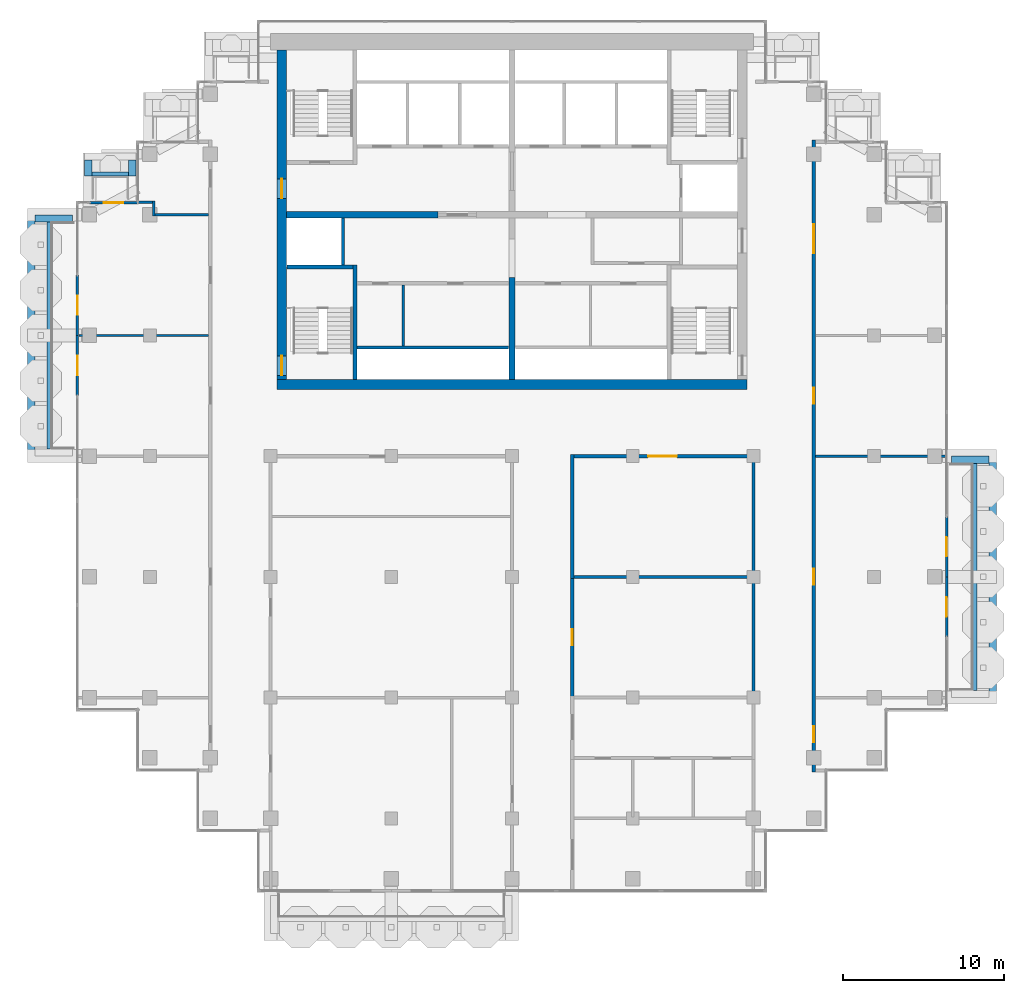
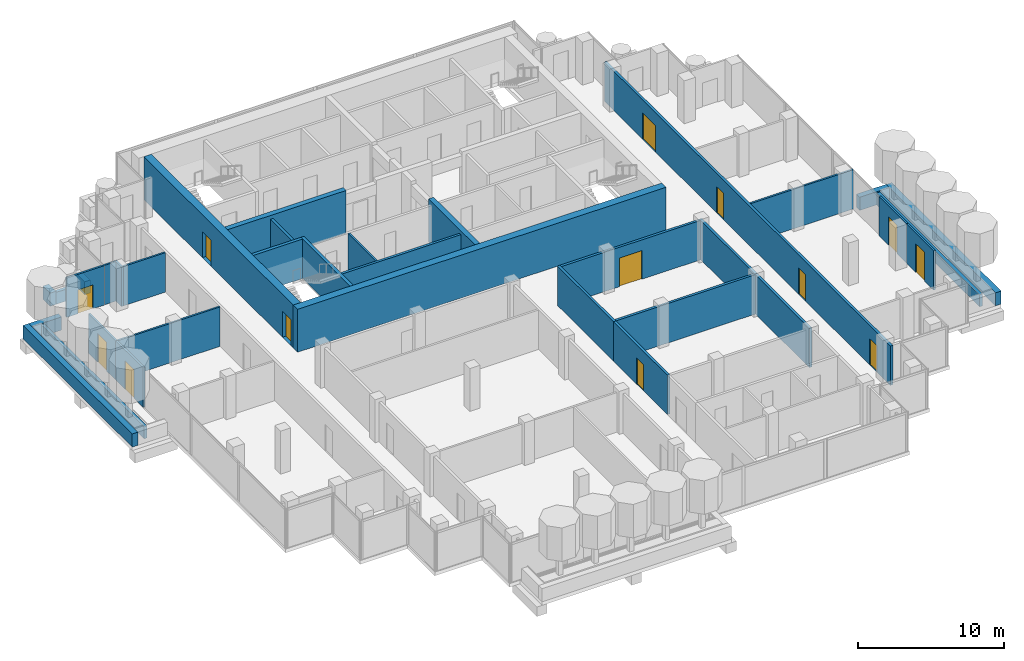
# One storey, part 12 of 18: 35 walls, 13 doors, 13 openings.
"""IFC4 building model written with IfcOpenShell, lengths in metres."""

from ifc_helpers import new_model, si_unit, direction, frame, frame_2d, origin, place, context, subcontext, project, spatial, rectangle, extrude, material, layer, layer_set, type_object, element, fill, save


model = new_model("IFC4")

# Units and contexts
model_context = context("Model", 3, precision=1e-05, world=origin(), true_north=direction((0.0, 1.0)))
body_context = subcontext(model_context, "Body", "Model", "MODEL_VIEW")
ifc_project = project(units=[si_unit("LENGTHUNIT", "METRE"), si_unit("AREAUNIT", "SQUARE_METRE"), si_unit("VOLUMEUNIT", "CUBIC_METRE"), si_unit("PLANEANGLEUNIT", "RADIAN"), si_unit("MASSUNIT", "GRAM", prefix="KILO")], contexts=[model_context])

# Site, building, storey
site_placement = place(None, origin())
site = spatial("IfcSite", under=ifc_project, at=site_placement, CompositionType="ELEMENT")
building_placement = place(site_placement, origin())
building = spatial("IfcBuilding", under=site, at=building_placement, Name="Pilkhan Gate Tower", CompositionType="ELEMENT")
storey_placement = place(building_placement, frame((0.0, 0.0, 228.300048828125)))
storey = spatial("IfcBuildingStorey", under=building, at=storey_placement, Name="L59", CompositionType="ELEMENT", Elevation=228.300048828125)

# Walls
ifc_material_1 = material(Name="Concrete C40/50", Category="concrete")
ifc_layer_1 = layer(ifc_material_1, 0.25)
ifc_layer_set_1 = layer_set([ifc_layer_1], Name="Balcony planter BP250")
wall_type_1 = type_object("IfcWallType", Name="Balcony planter BP250", PredefinedType="USERDEFINED", material=ifc_layer_set_1)
wall_1_placement = place(storey_placement, frame((103.77490234375, 52.949951171875, 0.0), z_axis=(0.0, 0.0, 1.0), x_axis=(0.0, 1.0, 0.0)))
element("IfcWall", 1, at=wall_1_placement, inside=storey, type_object=wall_type_1, Name="Balcony planter L59 E", ObjectType="BALCONY PLANTER", PredefinedType="USERDEFINED", context=body_context, shape_type="SweptSolid", body=[
    extrude(rectangle(XDim=14.10009765625, YDim=0.25, at=frame_2d((7.050048828125, 0.0))), origin(), (0.0, 0.0, 1.0), 1.0),
])
wall_2_placement = place(storey_placement, frame((48.89990234375, 85.02490234375, 0.0), z_axis=(0.0, 0.0, 1.0), x_axis=(1.0, 0.0, 0.0)))
element("IfcWall", 2, at=wall_2_placement, inside=storey, type_object=wall_type_1, Name="Balcony planter L59 N", ObjectType="BALCONY PLANTER", PredefinedType="USERDEFINED", context=body_context, shape_type="SweptSolid", body=[
    extrude(rectangle(XDim=2.280029296875, YDim=0.25, at=frame_2d((1.14013671875, 0.0))), origin(), (0.0, 0.0, 1.0), 1.0),
])
wall_3_placement = place(storey_placement, frame((46.22509765625, 67.949951171875, 0.0), z_axis=(0.0, 0.0, 1.0), x_axis=(0.0, 1.0, 0.0)))
element("IfcWall", 3, at=wall_3_placement, inside=storey, type_object=wall_type_1, Name="Balcony planter L59 W", ObjectType="BALCONY PLANTER", PredefinedType="USERDEFINED", context=body_context, shape_type="SweptSolid", body=[
    extrude(rectangle(XDim=14.10009765625, YDim=0.25, at=frame_2d((7.050048828125, 0.0))), origin(), (0.0, 0.0, 1.0), 1.0),
])
ifc_material_2 = material(Name="Board-marked Concrete C40/50", Category="concrete")
ifc_layer_2 = layer(ifc_material_2, 0.449951171875)
ifc_layer_set_2 = layer_set([ifc_layer_2], Name="Balcony planter lip BL450")
wall_type_2 = type_object("IfcWallType", Name="Balcony planter lip BL450", PredefinedType="USERDEFINED", material=ifc_layer_set_2)
wall_4_placement = place(storey_placement, frame((104.875, 52.5, 0.0), z_axis=(0.0, 0.0, 1.0), x_axis=(0.0, 1.0, 0.0)))
element("IfcWall", 4, at=wall_4_placement, inside=storey, type_object=wall_type_2, Name="Balcony planter L59 E", ObjectType="BALCONY PLANTER", PredefinedType="USERDEFINED", context=body_context, shape_type="SweptSolid", body=[
    extrude(rectangle(XDim=15.0, YDim=0.449951171875, at=frame_2d((7.5, 0.0))), origin(), (0.0, 0.0, 1.0), 1.099853515625),
])
wall_5_placement = place(storey_placement, frame((102.300048828125, 67.27490234375, 0.0), z_axis=(0.0, 0.0, 1.0), x_axis=(1.0, 0.0, 0.0)))
element("IfcWall", 5, at=wall_5_placement, inside=storey, type_object=wall_type_2, Name="Balcony planter L59 E", ObjectType="BALCONY PLANTER", PredefinedType="USERDEFINED", context=body_context, shape_type="SweptSolid", body=[
    extrude(rectangle(XDim=2.349853515625, YDim=0.449951171875, at=frame_2d((1.1748046875, 0.0))), origin(), (0.0, 0.0, 1.0), 1.099853515625),
])
for number, where, z_axis, x_axis, name in (
    (6, (48.675048828125, 84.89990234375, 0.0), (0.0, 0.0, 1.0), (0.0, 1.0, 0.0), "Balcony planter L59 N"),
    (7, (51.405029296875, 84.89990234375, 0.0), (0.0, 0.0, 1.0), (0.0, 1.0, 0.0), "Balcony planter L59 N"),
):
    element("IfcWall", number, at=place(storey_placement, frame(where, z_axis=z_axis, x_axis=x_axis)), inside=storey, type_object=wall_type_2, Name=name, ObjectType="BALCONY PLANTER", PredefinedType="USERDEFINED", context=body_context, shape_type="SweptSolid", body=[
        extrude(rectangle(XDim=1.0, YDim=0.449951171875, at=frame_2d((0.5, 0.0))), origin(), (0.0, 0.0, 1.0), 1.099853515625),
    ])
wall_6_placement = place(storey_placement, frame((45.125, 67.5, 0.0), z_axis=(0.0, 0.0, 1.0), x_axis=(0.0, 1.0, 0.0)))
element("IfcWall", 8, at=wall_6_placement, inside=storey, type_object=wall_type_2, Name="Balcony planter L59 W", ObjectType="BALCONY PLANTER", PredefinedType="USERDEFINED", context=body_context, shape_type="SweptSolid", body=[
    extrude(rectangle(XDim=15.0, YDim=0.449951171875, at=frame_2d((7.5, 0.0))), origin(), (0.0, 0.0, 1.0), 1.099853515625),
])
wall_7_placement = place(storey_placement, frame((47.699951171875, 82.27490234375, 0.0), z_axis=(0.0, 0.0, 1.0), x_axis=(-1.0, 0.0, 0.0)))
element("IfcWall", 9, at=wall_7_placement, inside=storey, type_object=wall_type_2, Name="Balcony planter L59 W", ObjectType="BALCONY PLANTER", PredefinedType="USERDEFINED", context=body_context, shape_type="SweptSolid", body=[
    extrude(rectangle(XDim=2.349853515625, YDim=0.449951171875, at=frame_2d((1.1748046875, 0.0))), origin(), (0.0, 0.0, 1.0), 1.099853515625),
])
ifc_material_3 = material(Name="Concrete C50/60", Category="concrete")
ifc_layer_3 = layer(ifc_material_3, 0.60009765625)
ifc_layer_set_3 = layer_set([ifc_layer_3], Name="Core wall CW600 C50/60")
wall_type_3 = type_object("IfcWallType", Name="Core wall CW600 C50/60", PredefinedType="SHEAR", material=ifc_layer_set_3)
wall_8_placement = place(storey_placement, frame((60.39990234375, 71.949951171875, 0.0), z_axis=(0.0, 0.0, 1.0), x_axis=(1.0, 0.0, 0.0)))
element("IfcWall", 10, at=wall_8_placement, inside=storey, type_object=wall_type_3, Name="Core wall S L59", PredefinedType="SHEAR", context=body_context, shape_type="SweptSolid", body=[
    extrude(rectangle(XDim=29.2001953125, YDim=0.60009765625, at=frame_2d((14.60009765625, 0.0))), origin(), (0.0, 0.0, 1.0), 3.599853515625),
])

# Wall, openings, doors
wall_9_placement = place(storey_placement, frame((60.699951171875, 92.75, 0.0), z_axis=(0.0, 0.0, 1.0), x_axis=(0.0, -1.0, 0.0)))
wall_9 = element("IfcWall", 11, at=wall_9_placement, inside=storey, type_object=wall_type_3, Name="Core wall W L59", PredefinedType="SHEAR", context=body_context, shape_type="SweptSolid", body=[
    extrude(rectangle(XDim=20.5, YDim=0.60009765625, at=frame_2d((10.25, 0.0))), origin(), (0.0, 0.0, 1.0), 3.599853515625),
])
opening_1_placement = place(wall_9_placement, frame((19.02490234375, 0.0, 0.0)))
opening_1 = element("IfcOpeningElement", 12, at=opening_1_placement, cuts=wall_9, Name="Opening L59-04", PredefinedType="OPENING", context=body_context, shape_type="SweptSolid", body=[
    extrude(rectangle(XDim=1.199951171875, YDim=2.199951171875, at=frame_2d((0.60009765625, 1.10009765625))), frame((0.0, 0.31005859375, 0.0), z_axis=(0.0, -1.0, 0.0), x_axis=(1.0, 0.0, 0.0)), (0.0, 0.0, 1.0), 0.6201171875),
])
opening_2_placement = place(wall_9_placement, frame((8.02490234375, 0.0, 0.0)))
opening_2 = element("IfcOpeningElement", 13, at=opening_2_placement, cuts=wall_9, Name="Opening L59-08", PredefinedType="OPENING", context=body_context, shape_type="SweptSolid", body=[
    extrude(rectangle(XDim=1.199951171875, YDim=2.199951171875, at=frame_2d((0.60009765625, 1.10009765625))), frame((0.0, 0.31005859375, 0.0), z_axis=(0.0, -1.0, 0.0), x_axis=(1.0, 0.0, 0.0)), (0.0, 0.0, 1.0), 0.6201171875),
])
ifc_material_4 = material(Name="Steel door, 120 minute fire resisting, self-closing", Category="steel")
door_type_1 = type_object("IfcDoorType", Name="Firefighting lobby door D10 1200x2200", OperationType="SINGLE_SWING_LEFT", PredefinedType="DOOR", material=ifc_material_4)
door_1_placement = place(opening_2_placement, origin())
door_1 = element("IfcDoor", 14, at=door_1_placement, inside=storey, type_object=door_type_1, Name="Core door", OperationType="SINGLE_SWING_LEFT", OverallHeight=2.199951171875, OverallWidth=1.199951171875, PredefinedType="DOOR", context=body_context, shape_type="SweptSolid", body=[
    extrude(rectangle(XDim=1.199951171875, YDim=2.199951171875, at=frame_2d((0.60009765625, 1.10009765625))), frame((0.0, 0.02490234375, 0.0), z_axis=(0.0, -1.0, 0.0), x_axis=(1.0, 0.0, 0.0)), (0.0, 0.0, 1.0), 0.050048828125),
])
fill(opening_2, door_1)
ifc_material_5 = material(Name="Steel door, 120 minute fire resisting, panic bar", Category="steel")
door_type_2 = type_object("IfcDoorType", Name="Stair door D11 1200x2200", OperationType="SINGLE_SWING_LEFT", PredefinedType="DOOR", material=ifc_material_5)
door_2_placement = place(opening_1_placement, origin())
door_2 = element("IfcDoor", 15, at=door_2_placement, inside=storey, type_object=door_type_2, Name="Stair ST2 door", OperationType="SINGLE_SWING_LEFT", OverallHeight=2.199951171875, OverallWidth=1.199951171875, PredefinedType="DOOR", context=body_context, shape_type="SweptSolid", body=[
    extrude(rectangle(XDim=1.199951171875, YDim=2.199951171875, at=frame_2d((0.60009765625, 1.10009765625))), frame((0.0, 0.02490234375, 0.0), z_axis=(0.0, -1.0, 0.0), x_axis=(1.0, 0.0, 0.0)), (0.0, 0.0, 1.0), 0.050048828125),
])
fill(opening_1, door_2)

# Wall, opening, door
ifc_material_6 = material(Name="Dense blockwork", Category="masonry")
ifc_layer_4 = layer(ifc_material_6, 0.199951171875)
ifc_layer_set_4 = layer_set([ifc_layer_4], Name="Corridor wall FW200")
wall_type_4 = type_object("IfcWallType", Name="Corridor wall FW200", PredefinedType="PARTITIONING", material=ifc_layer_set_4)
wall_10_placement = place(storey_placement, frame((78.75, 52.5, 0.0), z_axis=(0.0, 0.0, 1.0), x_axis=(0.0, 1.0, 0.0)))
wall_10 = element("IfcWall", 16, at=wall_10_placement, inside=storey, type_object=wall_type_4, Name="Partition L59", PredefinedType="PARTITIONING", context=body_context, shape_type="SweptSolid", body=[
    extrude(rectangle(XDim=7.5, YDim=0.199951171875, at=frame_2d((3.75, 0.0))), origin(), (0.0, 0.0, 1.0), 3.300048828125),
])
opening_3_placement = place(wall_10_placement, frame((3.25, 0.0, 0.0)))
opening_3 = element("IfcOpeningElement", 17, at=opening_3_placement, cuts=wall_10, Name="Opening L59-22", PredefinedType="OPENING", context=body_context, shape_type="SweptSolid", body=[
    extrude(rectangle(XDim=1.0, YDim=2.199951171875, at=frame_2d((0.5, 1.10009765625))), frame((0.0, 0.10986328125, 0.0), z_axis=(0.0, -1.0, 0.0), x_axis=(1.0, 0.0, 0.0)), (0.0, 0.0, 1.0), 0.219970703125),
])
ifc_material_7 = material(Name="Timber flush door, 30 minute fire resisting", Category="wood")
door_type_3 = type_object("IfcDoorType", Name="Room door D03 1000x2200", OperationType="SINGLE_SWING_LEFT", PredefinedType="DOOR", material=ifc_material_7)
door_3_placement = place(opening_3_placement, origin())
door_3 = element("IfcDoor", 18, at=door_3_placement, inside=storey, type_object=door_type_3, Name="Room door", OperationType="SINGLE_SWING_LEFT", OverallHeight=2.199951171875, OverallWidth=1.0, PredefinedType="DOOR", context=body_context, shape_type="SweptSolid", body=[
    extrude(rectangle(XDim=1.0, YDim=2.199951171875, at=frame_2d((0.5, 1.10009765625))), frame((0.0, 0.02490234375, 0.0), z_axis=(0.0, -1.0, 0.0), x_axis=(1.0, 0.0, 0.0)), (0.0, 0.0, 1.0), 0.050048828125),
])
fill(opening_3, door_3)

# Wall
wall_11_placement = place(storey_placement, frame((90.0, 52.5, 0.0), z_axis=(0.0, 0.0, 1.0), x_axis=(0.0, 1.0, 0.0)))
element("IfcWall", 19, at=wall_11_placement, inside=storey, type_object=wall_type_4, Name="Partition L59", PredefinedType="PARTITIONING", context=body_context, shape_type="SweptSolid", body=[
    extrude(rectangle(XDim=7.5, YDim=0.199951171875, at=frame_2d((3.75, 0.0))), origin(), (0.0, 0.0, 1.0), 3.300048828125),
])

# Wall, openings, doors
wall_12_placement = place(storey_placement, frame((93.75, 47.8701171875, 0.0), z_axis=(0.0, 0.0, 1.0), x_axis=(0.0, 1.0, 0.0)))
wall_12 = element("IfcWall", 20, at=wall_12_placement, inside=storey, type_object=wall_type_4, Name="Partition L59", PredefinedType="PARTITIONING", context=body_context, shape_type="SweptSolid", body=[
    extrude(rectangle(XDim=39.259765625, YDim=0.199951171875, at=frame_2d((19.6298828125, 0.0))), origin(), (0.0, 0.0, 1.0), 3.300048828125),
])
opening_4_placement = place(wall_12_placement, frame((1.85009765625, 0.0, 0.0)))
opening_4 = element("IfcOpeningElement", 21, at=opening_4_placement, cuts=wall_12, Name="Opening L59-27", PredefinedType="OPENING", context=body_context, shape_type="SweptSolid", body=[
    extrude(rectangle(XDim=1.0, YDim=2.199951171875, at=frame_2d((0.5, 1.10009765625))), frame((0.0, 0.10986328125, 0.0), z_axis=(0.0, -1.0, 0.0), x_axis=(1.0, 0.0, 0.0)), (0.0, 0.0, 1.0), 0.219970703125),
])
opening_5_placement = place(wall_12_placement, frame((11.6298828125, 0.0, 0.0)))
opening_5 = element("IfcOpeningElement", 22, at=opening_5_placement, cuts=wall_12, Name="Opening L59-28", PredefinedType="OPENING", context=body_context, shape_type="SweptSolid", body=[
    extrude(rectangle(XDim=1.0, YDim=2.199951171875, at=frame_2d((0.5, 1.10009765625))), frame((0.0, 0.10986328125, 0.0), z_axis=(0.0, -1.0, 0.0), x_axis=(1.0, 0.0, 0.0)), (0.0, 0.0, 1.0), 0.219970703125),
])
opening_6_placement = place(wall_12_placement, frame((22.8798828125, 0.0, 0.0)))
opening_6 = element("IfcOpeningElement", 23, at=opening_6_placement, cuts=wall_12, Name="Opening L59-29", PredefinedType="OPENING", context=body_context, shape_type="SweptSolid", body=[
    extrude(rectangle(XDim=1.0, YDim=2.199951171875, at=frame_2d((0.5, 1.10009765625))), frame((0.0, 0.10986328125, 0.0), z_axis=(0.0, -1.0, 0.0), x_axis=(1.0, 0.0, 0.0)), (0.0, 0.0, 1.0), 0.219970703125),
])
opening_7_placement = place(wall_12_placement, frame((32.22998046875, 0.0, 0.0)))
opening_7 = element("IfcOpeningElement", 24, at=opening_7_placement, cuts=wall_12, Name="Opening L59-32", PredefinedType="OPENING", context=body_context, shape_type="SweptSolid", body=[
    extrude(rectangle(XDim=1.800048828125, YDim=2.199951171875, at=frame_2d((0.89990234375, 1.10009765625))), frame((0.0, 0.10986328125, 0.0), z_axis=(0.0, -1.0, 0.0), x_axis=(1.0, 0.0, 0.0)), (0.0, 0.0, 1.0), 0.219970703125),
])
ifc_material_8 = material(Name="Timber glazed double door, 30 minute fire resisting", Category="wood")
door_type_4 = type_object("IfcDoorType", Name="Double door D04 1800x2200", OperationType="DOUBLE_DOOR_SINGLE_SWING", PredefinedType="DOOR", material=ifc_material_8)
door_4_placement = place(opening_7_placement, origin())
door_4 = element("IfcDoor", 25, at=door_4_placement, inside=storey, type_object=door_type_4, Name="Double door", OperationType="DOUBLE_DOOR_SINGLE_SWING", OverallHeight=2.199951171875, OverallWidth=1.800048828125, PredefinedType="DOOR", context=body_context, shape_type="SweptSolid", body=[
    extrude(rectangle(XDim=1.800048828125, YDim=2.199951171875, at=frame_2d((0.89990234375, 1.10009765625))), frame((0.0, 0.02490234375, 0.0), z_axis=(0.0, -1.0, 0.0), x_axis=(1.0, 0.0, 0.0)), (0.0, 0.0, 1.0), 0.050048828125),
])
fill(opening_7, door_4)
door_5_placement = place(opening_4_placement, origin())
door_5 = element("IfcDoor", 26, at=door_5_placement, inside=storey, type_object=door_type_3, Name="Room door", OperationType="SINGLE_SWING_RIGHT", OverallHeight=2.199951171875, OverallWidth=1.0, PredefinedType="DOOR", context=body_context, shape_type="SweptSolid", body=[
    extrude(rectangle(XDim=1.0, YDim=2.199951171875, at=frame_2d((0.5, 1.10009765625))), frame((0.0, 0.02490234375, 0.0), z_axis=(0.0, -1.0, 0.0), x_axis=(1.0, 0.0, 0.0)), (0.0, 0.0, 1.0), 0.050048828125),
])
fill(opening_4, door_5)
door_6_placement = place(opening_5_placement, origin())
door_6 = element("IfcDoor", 27, at=door_6_placement, inside=storey, type_object=door_type_3, Name="Room door", OperationType="SINGLE_SWING_LEFT", OverallHeight=2.199951171875, OverallWidth=1.0, PredefinedType="DOOR", context=body_context, shape_type="SweptSolid", body=[
    extrude(rectangle(XDim=1.0, YDim=2.199951171875, at=frame_2d((0.5, 1.10009765625))), frame((0.0, 0.02490234375, 0.0), z_axis=(0.0, -1.0, 0.0), x_axis=(1.0, 0.0, 0.0)), (0.0, 0.0, 1.0), 0.050048828125),
])
fill(opening_5, door_6)
door_7_placement = place(opening_6_placement, origin())
door_7 = element("IfcDoor", 28, at=door_7_placement, inside=storey, type_object=door_type_3, Name="Room door", OperationType="SINGLE_SWING_LEFT", OverallHeight=2.199951171875, OverallWidth=1.0, PredefinedType="DOOR", context=body_context, shape_type="SweptSolid", body=[
    extrude(rectangle(XDim=1.0, YDim=2.199951171875, at=frame_2d((0.5, 1.10009765625))), frame((0.0, 0.02490234375, 0.0), z_axis=(0.0, -1.0, 0.0), x_axis=(1.0, 0.0, 0.0)), (0.0, 0.0, 1.0), 0.050048828125),
])
fill(opening_6, door_7)

# Wall, opening, door
ifc_material_9 = material(Name="Pale anodised aluminium, clear laminated glazing", Category="aluminium")
ifc_layer_5 = layer(ifc_material_9, 0.14990234375)
ifc_layer_set_5 = layer_set([ifc_layer_5], Name="Facade infill wall IW150")
wall_type_5 = type_object("IfcWallType", Name="Facade infill wall IW150", PredefinedType="SOLIDWALL", material=ifc_layer_set_5)
wall_13_placement = place(storey_placement, frame((102.0, 56.25, 0.0), z_axis=(0.0, 0.0, 1.0), x_axis=(0.0, 1.0, 0.0)))
wall_13 = element("IfcWall", 29, at=wall_13_placement, inside=storey, type_object=wall_type_5, Name="Infill wall L59 E", PredefinedType="SOLIDWALL", context=body_context, shape_type="SweptSolid", body=[
    extrude(rectangle(XDim=3.75, YDim=0.14990234375, at=frame_2d((1.875, 0.0))), origin(), (0.0, 0.0, 1.0), 3.300048828125),
])
opening_8_placement = place(wall_13_placement, frame((1.27490234375, 0.0, 0.0)))
opening_8 = element("IfcOpeningElement", 30, at=opening_8_placement, cuts=wall_13, Name="Opening D1", PredefinedType="OPENING", context=body_context, shape_type="SweptSolid", body=[
    extrude(rectangle(XDim=1.199951171875, YDim=2.39990234375, at=frame_2d((0.60009765625, 1.199951171875))), frame((0.0, 0.0849609375, 0.0), z_axis=(0.0, -1.0, 0.0), x_axis=(1.0, 0.0, 0.0)), (0.0, 0.0, 1.0), 0.169921875),
])
ifc_material_10 = material(Name="Pale anodised aluminium, clear glazing", Category="aluminium")
door_type_5 = type_object("IfcDoorType", Name="Balcony door D1 1200x2400", OperationType="SINGLE_SWING_LEFT", PredefinedType="DOOR", material=ifc_material_10)
door_8_placement = place(opening_8_placement, origin())
door_8 = element("IfcDoor", 31, at=door_8_placement, inside=storey, type_object=door_type_5, Name="Balcony door L59", OperationType="SINGLE_SWING_LEFT", OverallHeight=2.39990234375, OverallWidth=1.199951171875, PredefinedType="DOOR", context=body_context, shape_type="SweptSolid", body=[
    extrude(rectangle(XDim=1.199951171875, YDim=2.39990234375, at=frame_2d((0.60009765625, 1.199951171875))), frame((0.0, 0.02490234375, 0.0), z_axis=(0.0, -1.0, 0.0), x_axis=(1.0, 0.0, 0.0)), (0.0, 0.0, 1.0), 0.050048828125),
])
fill(opening_8, door_8)

wall_14_placement = place(storey_placement, frame((102.0, 60.0, 0.0), z_axis=(0.0, 0.0, 1.0), x_axis=(0.0, 1.0, 0.0)))
wall_14 = element("IfcWall", 32, at=wall_14_placement, inside=storey, type_object=wall_type_5, Name="Infill wall L59 E", PredefinedType="SOLIDWALL", context=body_context, shape_type="SweptSolid", body=[
    extrude(rectangle(XDim=3.75, YDim=0.14990234375, at=frame_2d((1.875, 0.0))), origin(), (0.0, 0.0, 1.0), 3.300048828125),
])
opening_9_placement = place(wall_14_placement, frame((1.27490234375, 0.0, 0.0)))
opening_9 = element("IfcOpeningElement", 33, at=opening_9_placement, cuts=wall_14, Name="Opening D1", PredefinedType="OPENING", context=body_context, shape_type="SweptSolid", body=[
    extrude(rectangle(XDim=1.199951171875, YDim=2.39990234375, at=frame_2d((0.60009765625, 1.199951171875))), frame((0.0, 0.0849609375, 0.0), z_axis=(0.0, -1.0, 0.0), x_axis=(1.0, 0.0, 0.0)), (0.0, 0.0, 1.0), 0.169921875),
])
door_9_placement = place(opening_9_placement, origin())
door_9 = element("IfcDoor", 34, at=door_9_placement, inside=storey, type_object=door_type_5, Name="Balcony door L59", OperationType="SINGLE_SWING_LEFT", OverallHeight=2.39990234375, OverallWidth=1.199951171875, PredefinedType="DOOR", context=body_context, shape_type="SweptSolid", body=[
    extrude(rectangle(XDim=1.199951171875, YDim=2.39990234375, at=frame_2d((0.60009765625, 1.199951171875))), frame((0.0, 0.02490234375, 0.0), z_axis=(0.0, -1.0, 0.0), x_axis=(1.0, 0.0, 0.0)), (0.0, 0.0, 1.0), 0.050048828125),
])
fill(opening_9, door_9)

wall_15_placement = place(storey_placement, frame((48.75, 83.25, 0.0), z_axis=(0.0, 0.0, 1.0), x_axis=(1.0, 0.0, 0.0)))
wall_15 = element("IfcWall", 35, at=wall_15_placement, inside=storey, type_object=wall_type_5, Name="Infill wall L59 N", PredefinedType="SOLIDWALL", context=body_context, shape_type="SweptSolid", body=[
    extrude(rectangle(XDim=3.0, YDim=0.14990234375, at=frame_2d((1.5, 0.0))), origin(), (0.0, 0.0, 1.0), 3.300048828125),
])
opening_10_placement = place(wall_15_placement, frame((0.89990234375, 0.0, 0.0)))
opening_10 = element("IfcOpeningElement", 36, at=opening_10_placement, cuts=wall_15, Name="Opening D1L", PredefinedType="OPENING", context=body_context, shape_type="SweptSolid", body=[
    extrude(rectangle(XDim=1.199951171875, YDim=2.0, at=frame_2d((0.60009765625, 1.0))), frame((0.0, 0.0849609375, 0.0), z_axis=(0.0, -1.0, 0.0), x_axis=(1.0, 0.0, 0.0)), (0.0, 0.0, 1.0), 0.169921875),
])
door_type_6 = type_object("IfcDoorType", Name="Balcony door D1L 1200x2000", OperationType="SINGLE_SWING_LEFT", PredefinedType="DOOR", material=ifc_material_10)
door_10_placement = place(opening_10_placement, origin())
door_10 = element("IfcDoor", 37, at=door_10_placement, inside=storey, type_object=door_type_6, Name="Balcony door L59", OperationType="SINGLE_SWING_LEFT", OverallHeight=2.0, OverallWidth=1.199951171875, PredefinedType="DOOR", context=body_context, shape_type="SweptSolid", body=[
    extrude(rectangle(XDim=1.199951171875, YDim=2.0, at=frame_2d((0.60009765625, 1.0))), frame((0.0, 0.02490234375, 0.0), z_axis=(0.0, -1.0, 0.0), x_axis=(1.0, 0.0, 0.0)), (0.0, 0.0, 1.0), 0.050048828125),
])
fill(opening_10, door_10)

wall_16_placement = place(storey_placement, frame((48.0, 71.25, 0.0), z_axis=(0.0, 0.0, 1.0), x_axis=(0.0, 1.0, 0.0)))
wall_16 = element("IfcWall", 38, at=wall_16_placement, inside=storey, type_object=wall_type_5, Name="Infill wall L59 W", PredefinedType="SOLIDWALL", context=body_context, shape_type="SweptSolid", body=[
    extrude(rectangle(XDim=3.75, YDim=0.14990234375, at=frame_2d((1.875, 0.0))), origin(), (0.0, 0.0, 1.0), 3.300048828125),
])
opening_11_placement = place(wall_16_placement, frame((1.27490234375, 0.0, 0.0)))
opening_11 = element("IfcOpeningElement", 39, at=opening_11_placement, cuts=wall_16, Name="Opening D1", PredefinedType="OPENING", context=body_context, shape_type="SweptSolid", body=[
    extrude(rectangle(XDim=1.199951171875, YDim=2.39990234375, at=frame_2d((0.60009765625, 1.199951171875))), frame((0.0, 0.0849609375, 0.0), z_axis=(0.0, -1.0, 0.0), x_axis=(1.0, 0.0, 0.0)), (0.0, 0.0, 1.0), 0.169921875),
])
door_11_placement = place(opening_11_placement, origin())
door_11 = element("IfcDoor", 40, at=door_11_placement, inside=storey, type_object=door_type_5, Name="Balcony door L59", OperationType="SINGLE_SWING_LEFT", OverallHeight=2.39990234375, OverallWidth=1.199951171875, PredefinedType="DOOR", context=body_context, shape_type="SweptSolid", body=[
    extrude(rectangle(XDim=1.199951171875, YDim=2.39990234375, at=frame_2d((0.60009765625, 1.199951171875))), frame((0.0, 0.02490234375, 0.0), z_axis=(0.0, -1.0, 0.0), x_axis=(1.0, 0.0, 0.0)), (0.0, 0.0, 1.0), 0.050048828125),
])
fill(opening_11, door_11)

wall_17_placement = place(storey_placement, frame((48.0, 75.0, 0.0), z_axis=(0.0, 0.0, 1.0), x_axis=(0.0, 1.0, 0.0)))
wall_17 = element("IfcWall", 41, at=wall_17_placement, inside=storey, type_object=wall_type_5, Name="Infill wall L59 W", PredefinedType="SOLIDWALL", context=body_context, shape_type="SweptSolid", body=[
    extrude(rectangle(XDim=3.75, YDim=0.14990234375, at=frame_2d((1.875, 0.0))), origin(), (0.0, 0.0, 1.0), 3.300048828125),
])
opening_12_placement = place(wall_17_placement, frame((1.27490234375, 0.0, 0.0)))
opening_12 = element("IfcOpeningElement", 42, at=opening_12_placement, cuts=wall_17, Name="Opening D1", PredefinedType="OPENING", context=body_context, shape_type="SweptSolid", body=[
    extrude(rectangle(XDim=1.199951171875, YDim=2.39990234375, at=frame_2d((0.60009765625, 1.199951171875))), frame((0.0, 0.0849609375, 0.0), z_axis=(0.0, -1.0, 0.0), x_axis=(1.0, 0.0, 0.0)), (0.0, 0.0, 1.0), 0.169921875),
])
door_12_placement = place(opening_12_placement, origin())
door_12 = element("IfcDoor", 43, at=door_12_placement, inside=storey, type_object=door_type_5, Name="Balcony door L59", OperationType="SINGLE_SWING_LEFT", OverallHeight=2.39990234375, OverallWidth=1.199951171875, PredefinedType="DOOR", context=body_context, shape_type="SweptSolid", body=[
    extrude(rectangle(XDim=1.199951171875, YDim=2.39990234375, at=frame_2d((0.60009765625, 1.199951171875))), frame((0.0, 0.02490234375, 0.0), z_axis=(0.0, -1.0, 0.0), x_axis=(1.0, 0.0, 0.0)), (0.0, 0.0, 1.0), 0.050048828125),
])
fill(opening_12, door_12)

# Wall
ifc_layer_6 = layer(ifc_material_6, 0.199951171875)
ifc_layer_set_6 = layer_set([ifc_layer_6], Name="Lobby wall LW200")
wall_type_6 = type_object("IfcWallType", Name="Lobby wall LW200", PredefinedType="PARTITIONING", material=ifc_layer_set_6)
wall_18_placement = place(storey_placement, frame((78.85009765625, 60.0, 0.0), z_axis=(0.0, 0.0, 1.0), x_axis=(1.0, 0.0, 0.0)))
element("IfcWall", 44, at=wall_18_placement, inside=storey, type_object=wall_type_6, Name="Partition L59", PredefinedType="PARTITIONING", context=body_context, shape_type="SweptSolid", body=[
    extrude(rectangle(XDim=11.0498046875, YDim=0.199951171875, at=frame_2d((5.52490234375, 0.0))), origin(), (0.0, 0.0, 1.0), 3.300048828125),
])

# Wall, opening, door
wall_19_placement = place(storey_placement, frame((78.85009765625, 67.5, 0.0), z_axis=(0.0, 0.0, 1.0), x_axis=(1.0, 0.0, 0.0)))
wall_19 = element("IfcWall", 45, at=wall_19_placement, inside=storey, type_object=wall_type_6, Name="Partition L59", PredefinedType="PARTITIONING", context=body_context, shape_type="SweptSolid", body=[
    extrude(rectangle(XDim=11.0498046875, YDim=0.199951171875, at=frame_2d((5.52490234375, 0.0))), origin(), (0.0, 0.0, 1.0), 3.300048828125),
])
opening_13_placement = place(wall_19_placement, frame((4.60009765625, 0.0, 0.0)))
opening_13 = element("IfcOpeningElement", 46, at=opening_13_placement, cuts=wall_19, Name="Opening L59-23", PredefinedType="OPENING", context=body_context, shape_type="SweptSolid", body=[
    extrude(rectangle(XDim=1.800048828125, YDim=2.39990234375, at=frame_2d((0.89990234375, 1.199951171875))), frame((0.0, 0.10986328125, 0.0), z_axis=(0.0, -1.0, 0.0), x_axis=(1.0, 0.0, 0.0)), (0.0, 0.0, 1.0), 0.219970703125),
])
ifc_material_11 = material(Name="Steel door, 120 minute fire resisting", Category="steel")
door_type_7 = type_object("IfcDoorType", Name="Plant room door D08 1800x2400", OperationType="DOUBLE_DOOR_SINGLE_SWING", PredefinedType="DOOR", material=ifc_material_11)
door_13_placement = place(opening_13_placement, origin())
door_13 = element("IfcDoor", 47, at=door_13_placement, inside=storey, type_object=door_type_7, Name="Plant room door", OperationType="DOUBLE_DOOR_SINGLE_SWING", OverallHeight=2.39990234375, OverallWidth=1.800048828125, PredefinedType="DOOR", context=body_context, shape_type="SweptSolid", body=[
    extrude(rectangle(XDim=1.800048828125, YDim=2.39990234375, at=frame_2d((0.89990234375, 1.199951171875))), frame((0.0, 0.02490234375, 0.0), z_axis=(0.0, -1.0, 0.0), x_axis=(1.0, 0.0, 0.0)), (0.0, 0.0, 1.0), 0.050048828125),
])
fill(opening_13, door_13)

# Walls
wall_20_placement = place(storey_placement, frame((65.375, 74.25, 0.0), z_axis=(0.0, 0.0, 1.0), x_axis=(1.0, 0.0, 0.0)))
element("IfcWall", 48, at=wall_20_placement, inside=storey, type_object=wall_type_6, Name="Partition L59", PredefinedType="PARTITIONING", context=body_context, shape_type="SweptSolid", body=[
    extrude(rectangle(XDim=9.4150390625, YDim=0.199951171875, at=frame_2d((4.70751953125, 0.0))), origin(), (0.0, 0.0, 1.0), 3.300048828125),
])
for number, where, z_axis, x_axis, name in (
    (49, (78.75, 59.89990234375, 0.0), (0.0, 0.0, 1.0), (0.0, 1.0, 0.0), "Partition L59"),
    (50, (90.0, 59.89990234375, 0.0), (0.0, 0.0, 1.0), (0.0, 1.0, 0.0), "Partition L59"),
):
    element("IfcWall", number, at=place(storey_placement, frame(where, z_axis=z_axis, x_axis=x_axis)), inside=storey, type_object=wall_type_6, Name=name, PredefinedType="PARTITIONING", context=body_context, shape_type="SweptSolid", body=[
        extrude(rectangle(XDim=7.7001953125, YDim=0.199951171875, at=frame_2d((3.85009765625, 0.0))), origin(), (0.0, 0.0, 1.0), 3.300048828125),
    ])
ifc_material_12 = material(Name="Blockwork partition, plastered both sides", Category="masonry")
ifc_layer_7 = layer(ifc_material_12, 0.14990234375)
ifc_layer_set_7 = layer_set([ifc_layer_7], Name="Partition PW150")
wall_type_7 = type_object("IfcWallType", Name="Partition PW150", PredefinedType="PARTITIONING", material=ifc_layer_set_7)
wall_21_placement = place(storey_placement, frame((93.85009765625, 67.5, 0.0), z_axis=(0.0, 0.0, 1.0), x_axis=(1.0, 0.0, 0.0)))
element("IfcWall", 51, at=wall_21_placement, inside=storey, type_object=wall_type_7, Name="Partition L59", PredefinedType="PARTITIONING", context=body_context, shape_type="SweptSolid", body=[
    extrude(rectangle(XDim=8.164794921875, YDim=0.14990234375, at=frame_2d((4.08251953125, 0.0))), origin(), (0.0, 0.0, 1.0), 3.300048828125),
])
wall_22_placement = place(storey_placement, frame((48.0849609375, 75.0, 0.0), z_axis=(0.0, 0.0, 1.0), x_axis=(1.0, 0.0, 0.0)))
element("IfcWall", 52, at=wall_22_placement, inside=storey, type_object=wall_type_7, Name="Partition L59", PredefinedType="PARTITIONING", context=body_context, shape_type="SweptSolid", body=[
    extrude(rectangle(XDim=8.06494140625, YDim=0.14990234375, at=frame_2d((4.032470703125, 0.0))), origin(), (0.0, 0.0, 1.0), 3.300048828125),
])
wall_23_placement = place(storey_placement, frame((52.81005859375, 82.5, 0.0), z_axis=(0.0, 0.0, 1.0), x_axis=(1.0, 0.0, 0.0)))
element("IfcWall", 53, at=wall_23_placement, inside=storey, type_object=wall_type_7, Name="Partition L59", PredefinedType="PARTITIONING", context=body_context, shape_type="SweptSolid", body=[
    extrude(rectangle(XDim=3.33984375, YDim=0.14990234375, at=frame_2d((1.669921875, 0.0))), origin(), (0.0, 0.0, 1.0), 3.300048828125),
])
wall_24_placement = place(storey_placement, frame((51.760009765625, 83.264892578125, 0.0), z_axis=(0.0, 0.0, 1.0), x_axis=(1.0, 0.0, 0.0)))
element("IfcWall", 54, at=wall_24_placement, inside=storey, type_object=wall_type_7, Name="Partition L59", PredefinedType="PARTITIONING", context=body_context, shape_type="SweptSolid", body=[
    extrude(rectangle(XDim=0.89990234375, YDim=0.14990234375, at=frame_2d((0.449951171875, 0.0))), origin(), (0.0, 0.0, 1.0), 3.300048828125),
])
wall_25_placement = place(storey_placement, frame((52.735107421875, 82.425048828125, 0.0), z_axis=(0.0, 0.0, 1.0), x_axis=(0.0, 1.0, 0.0)))
element("IfcWall", 55, at=wall_25_placement, inside=storey, type_object=wall_type_7, Name="Partition L59", PredefinedType="PARTITIONING", context=body_context, shape_type="SweptSolid", body=[
    extrude(rectangle(XDim=0.9150390625, YDim=0.14990234375, at=frame_2d((0.45751953125, 0.0))), origin(), (0.0, 0.0, 1.0), 3.300048828125),
])
wall_26_placement = place(storey_placement, frame((68.239990234375, 74.35009765625, 0.0), z_axis=(0.0, 0.0, 1.0), x_axis=(0.0, 1.0, 0.0)))
element("IfcWall", 56, at=wall_26_placement, inside=storey, type_object=wall_type_7, Name="Partition L59", PredefinedType="PARTITIONING", context=body_context, shape_type="SweptSolid", body=[
    extrude(rectangle(XDim=3.7998046875, YDim=0.14990234375, at=frame_2d((1.89990234375, 0.0))), origin(), (0.0, 0.0, 1.0), 3.300048828125),
])
ifc_material_13 = material(Name="Reinforced blockwork shaft wall, 120 minute fire resisting", Category="masonry")
ifc_layer_8 = layer(ifc_material_13, 0.199951171875)
ifc_layer_set_8 = layer_set([ifc_layer_8], Name="Shaft wall SW200")
wall_type_8 = type_object("IfcWallType", Name="Shaft wall SW200", PredefinedType="PARTITIONING", material=ifc_layer_set_8)
wall_27_placement = place(storey_placement, frame((64.5, 79.375, 0.0), z_axis=(0.0, 0.0, 1.0), x_axis=(0.0, 1.0, 0.0)))
element("IfcWall", 57, at=wall_27_placement, inside=storey, type_object=wall_type_8, Name="Partition L59", PredefinedType="PARTITIONING", context=body_context, shape_type="SweptSolid", body=[
    extrude(rectangle(XDim=2.9150390625, YDim=0.199951171875, at=frame_2d((1.45751953125, 0.0))), origin(), (0.0, 0.0, 1.0), 3.300048828125),
])
ifc_layer_9 = layer(ifc_material_3, 0.39990234375)
ifc_layer_set_9 = layer_set([ifc_layer_9], Name="Spine wall SW400 C50/60")
wall_type_9 = type_object("IfcWallType", Name="Spine wall SW400 C50/60", PredefinedType="SHEAR", material=ifc_layer_set_9)
wall_28_placement = place(storey_placement, frame((61.0, 82.5, 0.0), z_axis=(0.0, 0.0, 1.0), x_axis=(1.0, 0.0, 0.0)))
element("IfcWall", 58, at=wall_28_placement, inside=storey, type_object=wall_type_9, Name="Spine wall SP-EW1 L59", PredefinedType="SHEAR", context=body_context, shape_type="SweptSolid", body=[
    extrude(rectangle(XDim=9.39990234375, YDim=0.39990234375, at=frame_2d((4.699951171875, 0.0))), origin(), (0.0, 0.0, 1.0), 3.599853515625),
])
wall_29_placement = place(storey_placement, frame((75.0, 72.25, 0.0), z_axis=(0.0, 0.0, 1.0), x_axis=(0.0, 1.0, 0.0)))
element("IfcWall", 59, at=wall_29_placement, inside=storey, type_object=wall_type_9, Name="Spine wall SP-NS-S1 L59", PredefinedType="SHEAR", context=body_context, shape_type="SweptSolid", body=[
    extrude(rectangle(XDim=6.35009765625, YDim=0.39990234375, at=frame_2d((3.175048828125, 0.0))), origin(), (0.0, 0.0, 1.0), 3.599853515625),
])
ifc_material_14 = material(Name="Reinforced blockwork, 120 minute fire resisting", Category="masonry")
ifc_layer_10 = layer(ifc_material_14, 0.25)
ifc_layer_set_10 = layer_set([ifc_layer_10], Name="Stair enclosure wall SE250")
wall_type_10 = type_object("IfcWallType", Name="Stair enclosure wall SE250", PredefinedType="PARTITIONING", material=ifc_layer_set_10)
wall_30_placement = place(storey_placement, frame((61.010009765625, 79.25, 0.0), z_axis=(0.0, 0.0, 1.0), x_axis=(1.0, 0.0, 0.0)))
element("IfcWall", 60, at=wall_30_placement, inside=storey, type_object=wall_type_10, Name="Partition L59", PredefinedType="PARTITIONING", context=body_context, shape_type="SweptSolid", body=[
    extrude(rectangle(XDim=4.114990234375, YDim=0.25, at=frame_2d((2.0576171875, 0.0))), origin(), (0.0, 0.0, 1.0), 3.300048828125),
])
wall_31_placement = place(storey_placement, frame((65.25, 72.260009765625, 0.0), z_axis=(0.0, 0.0, 1.0), x_axis=(0.0, 1.0, 0.0)))
element("IfcWall", 61, at=wall_31_placement, inside=storey, type_object=wall_type_10, Name="Partition L59", PredefinedType="PARTITIONING", context=body_context, shape_type="SweptSolid", body=[
    extrude(rectangle(XDim=7.114990234375, YDim=0.25, at=frame_2d((3.5576171875, 0.0))), origin(), (0.0, 0.0, 1.0), 3.300048828125),
])

save(model, "model.ifc")
